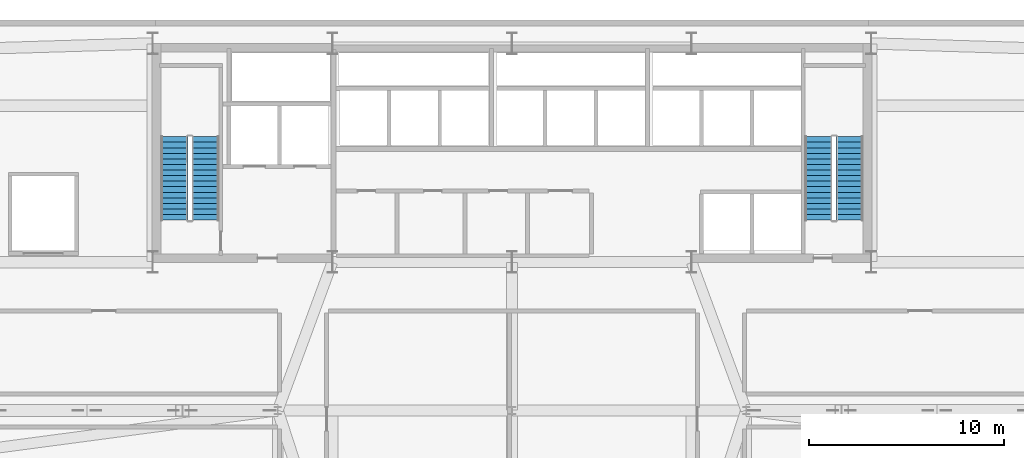
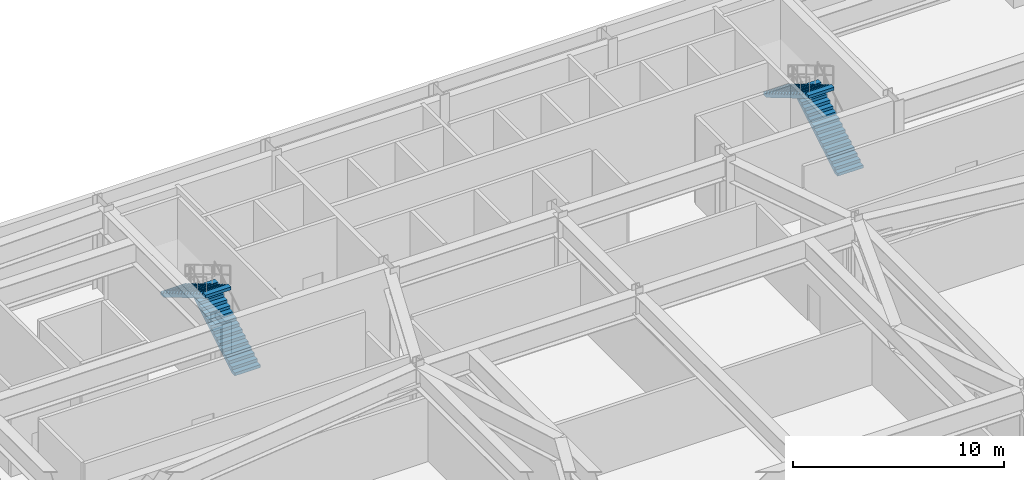
# One storey, part 14 of 16: 4 stair flights, 2 elements without a shape of their own.
"""IFC4 building model written with IfcOpenShell, lengths in metres."""

from ifc_helpers import new_model, si_unit, direction, frame, origin, place, context, subcontext, project, spatial, polyline, outline, extrude, material, type_object, element, aggregate, save


model = new_model("IFC4")

# Units and contexts
model_context = context("Model", 3, precision=1e-05, world=origin(), true_north=direction((0.0, 1.0)))
body_context = subcontext(model_context, "Body", "Model", "MODEL_VIEW")
ifc_project = project(units=[si_unit("LENGTHUNIT", "METRE"), si_unit("AREAUNIT", "SQUARE_METRE"), si_unit("VOLUMEUNIT", "CUBIC_METRE"), si_unit("PLANEANGLEUNIT", "RADIAN"), si_unit("MASSUNIT", "GRAM", prefix="KILO")], contexts=[model_context])

# Site, building, storey
site_placement = place(None, origin())
site = spatial("IfcSite", under=ifc_project, at=site_placement, CompositionType="ELEMENT")
building_placement = place(site_placement, origin())
building = spatial("IfcBuilding", under=site, at=building_placement, Name="Varnel Quay Broadcast Tower", CompositionType="ELEMENT")
storey_placement = place(building_placement, frame((0.0, 0.0, 22.199951171875)))
storey = spatial("IfcBuildingStorey", under=building, at=storey_placement, Name="L04", CompositionType="ELEMENT", Elevation=22.199951171875)

# Stair, stair flights
ifc_material = material(Name="Precast Structural Concrete C40/50", Category="concrete")
stair_type_1 = type_object("IfcStairType", Name="Stair_ST-01", PredefinedType="HALF_TURN_STAIR", material=ifc_material)
stair_1_placement = place(storey_placement, origin())
stair_1 = element("IfcStair", 1, at=stair_1_placement, inside=storey, type_object=stair_type_1, Name="L04 West Core Exit Stair 1", PredefinedType="HALF_TURN_STAIR")
stair_flight_type_1 = type_object("IfcStairFlightType", Name="Flight_ST-01", PredefinedType="STRAIGHT", material=ifc_material)
stair_flight_1_placement = place(storey_placement, frame((18.300048828125, 37.75, 0.0), z_axis=(0.0, 0.0, 1.0), x_axis=(0.0, 1.0, 0.0)))
stair_flight_1 = element("IfcStairFlight", 2, at=stair_flight_1_placement, type_object=stair_flight_type_1, Name="ST-01 flight 1", NumberOfRisers=16, NumberOfTreads=15, PredefinedType="STRAIGHT", RiserHeight=0.16875, TreadLength=0.285, context=body_context, shape_type="SweptSolid", body=[
    extrude(outline(polyline([(0.0, 0.0), (0.0, 0.168701171875), (0.284912109375, 0.168701171875), (0.284912109375, 0.33740234375), (0.570068359375, 0.33740234375), (0.570068359375, 0.50634765625), (0.85498046875, 0.50634765625), (0.85498046875, 0.675048828125), (1.139892578125, 0.675048828125), (1.139892578125, 0.84375), (1.425048828125, 0.84375), (1.425048828125, 1.012451171875), (1.7099609375, 1.012451171875), (1.7099609375, 1.18115234375), (1.9951171875, 1.18115234375), (1.9951171875, 1.35009765625), (2.280029296875, 1.35009765625), (2.280029296875, 1.518798828125), (2.56494140625, 1.518798828125), (2.56494140625, 1.6875), (2.85009765625, 1.6875), (2.85009765625, 1.856201171875), (3.135009765625, 1.856201171875), (3.135009765625, 2.02490234375), (3.419921875, 2.02490234375), (3.419921875, 2.19384765625), (3.705078125, 2.19384765625), (3.705078125, 2.362548828125), (3.989990234375, 2.362548828125), (3.989990234375, 2.53125), (4.27490234375, 2.53125), (4.27490234375, 2.699951171875), (4.27490234375, 2.35693359375), (0.294189453125, 0.0), (0.0, 0.0)])), frame((0.0, 0.699951171875, 0.0), z_axis=(0.0, -1.0, 0.0), x_axis=(1.0, 0.0, 0.0)), (0.0, 0.0, 1.0), 1.39990234375),
])
stair_flight_2_placement = place(storey_placement, frame((16.699951171875, 42.02490234375, 2.699951171875), z_axis=(0.0, 0.0, 1.0), x_axis=(0.0, -1.0, 0.0)))
stair_flight_2 = element("IfcStairFlight", 3, at=stair_flight_2_placement, type_object=stair_flight_type_1, Name="ST-01 flight 2", NumberOfRisers=16, NumberOfTreads=15, PredefinedType="STRAIGHT", RiserHeight=0.16875, TreadLength=0.285, context=body_context, shape_type="SweptSolid", body=[
    extrude(outline(polyline([(0.0, 0.0), (0.0, 0.168701171875), (0.284912109375, 0.168701171875), (0.284912109375, 0.33740234375), (0.570068359375, 0.33740234375), (0.570068359375, 0.50634765625), (0.85498046875, 0.50634765625), (0.85498046875, 0.675048828125), (1.139892578125, 0.675048828125), (1.139892578125, 0.84375), (1.425048828125, 0.84375), (1.425048828125, 1.012451171875), (1.7099609375, 1.012451171875), (1.7099609375, 1.18115234375), (1.9951171875, 1.18115234375), (1.9951171875, 1.35009765625), (2.280029296875, 1.35009765625), (2.280029296875, 1.518798828125), (2.56494140625, 1.518798828125), (2.56494140625, 1.6875), (2.85009765625, 1.6875), (2.85009765625, 1.856201171875), (3.135009765625, 1.856201171875), (3.135009765625, 2.02490234375), (3.419921875, 2.02490234375), (3.419921875, 2.19384765625), (3.705078125, 2.19384765625), (3.705078125, 2.362548828125), (3.989990234375, 2.362548828125), (3.989990234375, 2.53125), (4.27490234375, 2.53125), (4.27490234375, 2.699951171875), (4.27490234375, 2.35693359375), (0.294189453125, 0.0), (0.0, 0.0)])), frame((0.0, 0.699951171875, 0.0), z_axis=(0.0, -1.0, 0.0), x_axis=(1.0, 0.0, 0.0)), (0.0, 0.0, 1.0), 1.39990234375),
])
aggregate(stair_1, [stair_flight_1, stair_flight_2])

stair_type_2 = type_object("IfcStairType", Name="Stair_ST-02", PredefinedType="HALF_TURN_STAIR", material=ifc_material)
stair_2_placement = place(storey_placement, origin())
stair_2 = element("IfcStair", 4, at=stair_2_placement, inside=storey, type_object=stair_type_2, Name="L04 East Core Exit Stair 2", PredefinedType="HALF_TURN_STAIR")
stair_flight_type_2 = type_object("IfcStairFlightType", Name="Flight_ST-02", PredefinedType="STRAIGHT", material=ifc_material)
stair_flight_3_placement = place(storey_placement, frame((51.300048828125, 37.75, 0.0), z_axis=(0.0, 0.0, 1.0), x_axis=(0.0, 1.0, 0.0)))
stair_flight_3 = element("IfcStairFlight", 5, at=stair_flight_3_placement, type_object=stair_flight_type_2, Name="ST-02 flight 1", NumberOfRisers=16, NumberOfTreads=15, PredefinedType="STRAIGHT", RiserHeight=0.16875, TreadLength=0.285, context=body_context, shape_type="SweptSolid", body=[
    extrude(outline(polyline([(0.0, 0.0), (0.0, 0.168701171875), (0.284912109375, 0.168701171875), (0.284912109375, 0.33740234375), (0.570068359375, 0.33740234375), (0.570068359375, 0.50634765625), (0.85498046875, 0.50634765625), (0.85498046875, 0.675048828125), (1.139892578125, 0.675048828125), (1.139892578125, 0.84375), (1.425048828125, 0.84375), (1.425048828125, 1.012451171875), (1.7099609375, 1.012451171875), (1.7099609375, 1.18115234375), (1.9951171875, 1.18115234375), (1.9951171875, 1.35009765625), (2.280029296875, 1.35009765625), (2.280029296875, 1.518798828125), (2.56494140625, 1.518798828125), (2.56494140625, 1.6875), (2.85009765625, 1.6875), (2.85009765625, 1.856201171875), (3.135009765625, 1.856201171875), (3.135009765625, 2.02490234375), (3.419921875, 2.02490234375), (3.419921875, 2.19384765625), (3.705078125, 2.19384765625), (3.705078125, 2.362548828125), (3.989990234375, 2.362548828125), (3.989990234375, 2.53125), (4.27490234375, 2.53125), (4.27490234375, 2.699951171875), (4.27490234375, 2.35693359375), (0.294189453125, 0.0), (0.0, 0.0)])), frame((0.0, 0.699951171875, 0.0), z_axis=(0.0, -1.0, 0.0), x_axis=(1.0, 0.0, 0.0)), (0.0, 0.0, 1.0), 1.39990234375),
])
stair_flight_4_placement = place(storey_placement, frame((49.699951171875, 42.02490234375, 2.699951171875), z_axis=(0.0, 0.0, 1.0), x_axis=(0.0, -1.0, 0.0)))
stair_flight_4 = element("IfcStairFlight", 6, at=stair_flight_4_placement, type_object=stair_flight_type_2, Name="ST-02 flight 2", NumberOfRisers=16, NumberOfTreads=15, PredefinedType="STRAIGHT", RiserHeight=0.16875, TreadLength=0.285, context=body_context, shape_type="SweptSolid", body=[
    extrude(outline(polyline([(0.0, 0.0), (0.0, 0.168701171875), (0.284912109375, 0.168701171875), (0.284912109375, 0.33740234375), (0.570068359375, 0.33740234375), (0.570068359375, 0.50634765625), (0.85498046875, 0.50634765625), (0.85498046875, 0.675048828125), (1.139892578125, 0.675048828125), (1.139892578125, 0.84375), (1.425048828125, 0.84375), (1.425048828125, 1.012451171875), (1.7099609375, 1.012451171875), (1.7099609375, 1.18115234375), (1.9951171875, 1.18115234375), (1.9951171875, 1.35009765625), (2.280029296875, 1.35009765625), (2.280029296875, 1.518798828125), (2.56494140625, 1.518798828125), (2.56494140625, 1.6875), (2.85009765625, 1.6875), (2.85009765625, 1.856201171875), (3.135009765625, 1.856201171875), (3.135009765625, 2.02490234375), (3.419921875, 2.02490234375), (3.419921875, 2.19384765625), (3.705078125, 2.19384765625), (3.705078125, 2.362548828125), (3.989990234375, 2.362548828125), (3.989990234375, 2.53125), (4.27490234375, 2.53125), (4.27490234375, 2.699951171875), (4.27490234375, 2.35693359375), (0.294189453125, 0.0), (0.0, 0.0)])), frame((0.0, 0.699951171875, 0.0), z_axis=(0.0, -1.0, 0.0), x_axis=(1.0, 0.0, 0.0)), (0.0, 0.0, 1.0), 1.39990234375),
])
aggregate(stair_2, [stair_flight_3, stair_flight_4])

save(model, "model.ifc")
